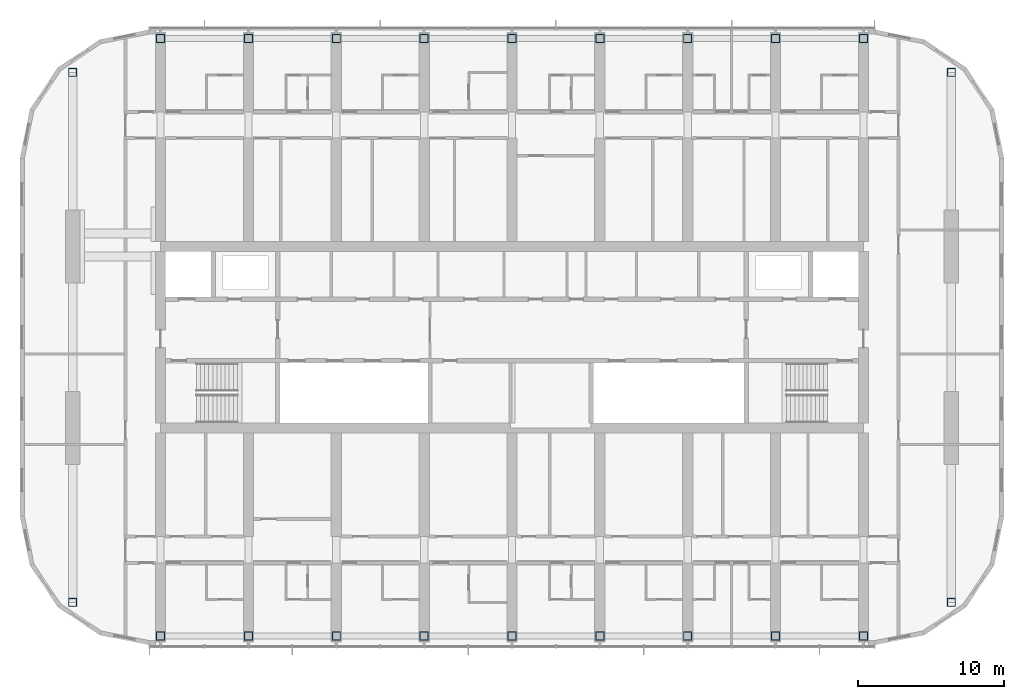
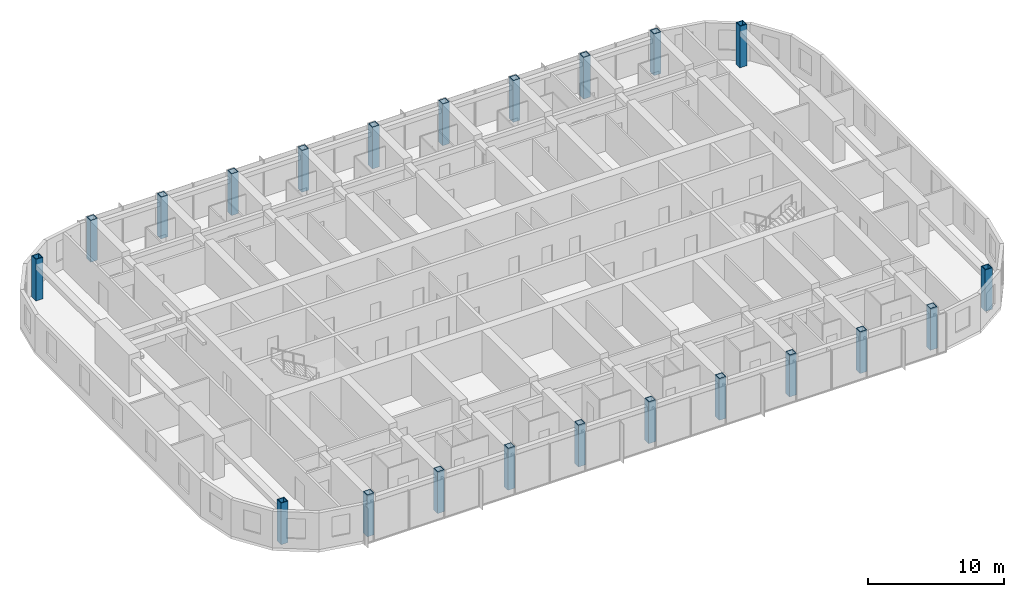
# One storey, part 1 of 23: 22 columns.
"""IFC4 building model written with IfcOpenShell, lengths in metres."""

from ifc_helpers import new_model, si_unit, direction, frame, origin, origin_2d, place, context, subcontext, project, spatial, hollow_rectangle, extrude, material, material_profile, profile_set, type_object, element, save


model = new_model("IFC4")

# Units and contexts
model_context = context("Model", 3, precision=1e-05, world=origin(), true_north=direction((0.0, 1.0)))
body_context = subcontext(model_context, "Body", "Model", "MODEL_VIEW")
ifc_project = project(units=[si_unit("LENGTHUNIT", "METRE"), si_unit("AREAUNIT", "SQUARE_METRE"), si_unit("VOLUMEUNIT", "CUBIC_METRE"), si_unit("PLANEANGLEUNIT", "RADIAN"), si_unit("MASSUNIT", "GRAM", prefix="KILO")], contexts=[model_context])

# Site, building, storey
site_placement = place(None, origin())
site = spatial("IfcSite", under=ifc_project, at=site_placement, CompositionType="ELEMENT")
building_placement = place(site_placement, origin())
building = spatial("IfcBuilding", under=site, at=building_placement, Name="Orbita Commons", CompositionType="ELEMENT")
storey_placement = place(building_placement, frame((0.0, 0.0, 212.800048828125)))
storey = spatial("IfcBuildingStorey", under=building, at=storey_placement, Name="L52", CompositionType="ELEMENT", Elevation=212.800048828125)

# Columns
ifc_material = material(Name="Steel ASTM A572 Gr 50 welded plate", Category="steel")
ifc_material_profile = material_profile(ifc_material, hollow_rectangle(XDim=0.60009765625, YDim=0.60009765625, WallThickness=0.06005859375, at=origin_2d()), Name="BOX 600x600x60")
ifc_profile_set = profile_set([ifc_material_profile], Name="Steel ASTM A572 Gr 50 welded plate")
column_type = type_object("IfcColumnType", Name="Steel column BOX 600x600x60", PredefinedType="COLUMN", material=ifc_profile_set)
for number, where, z_axis, x_axis, name in (
    (1, (18.0, 11.60009765625, 0.0), (0.0, 0.0, 1.0), (1.0, 0.0, 0.0), "Column 4/B L52"),
    (2, (18.0, 52.39990234375, 0.0), (0.0, 0.0, 1.0), (1.0, 0.0, 0.0), "Column 4/E L52"),
    (3, (24.0, 11.60009765625, 0.0), (0.0, 0.0, 1.0), (1.0, 0.0, 0.0), "Column 5/B L52"),
    (4, (24.0, 52.39990234375, 0.0), (0.0, 0.0, 1.0), (1.0, 0.0, 0.0), "Column 5/E L52"),
    (5, (30.0, 11.60009765625, 0.0), (0.0, 0.0, 1.0), (1.0, 0.0, 0.0), "Column 6/B L52"),
    (6, (30.0, 52.39990234375, 0.0), (0.0, 0.0, 1.0), (1.0, 0.0, 0.0), "Column 6/E L52"),
    (7, (36.0, 11.60009765625, 0.0), (0.0, 0.0, 1.0), (1.0, 0.0, 0.0), "Column 7/B L52"),
    (8, (36.0, 52.39990234375, 0.0), (0.0, 0.0, 1.0), (1.0, 0.0, 0.0), "Column 7/E L52"),
    (9, (42.0, 11.60009765625, 0.0), (0.0, 0.0, 1.0), (1.0, 0.0, 0.0), "Column 8/B L52"),
    (10, (42.0, 52.39990234375, 0.0), (0.0, 0.0, 1.0), (1.0, 0.0, 0.0), "Column 8/E L52"),
    (11, (48.0, 11.60009765625, 0.0), (0.0, 0.0, 1.0), (1.0, 0.0, 0.0), "Column 9/B L52"),
    (12, (48.0, 52.39990234375, 0.0), (0.0, 0.0, 1.0), (1.0, 0.0, 0.0), "Column 9/E L52"),
    (13, (54.0, 11.60009765625, 0.0), (0.0, 0.0, 1.0), (1.0, 0.0, 0.0), "Column 10/B L52"),
    (14, (54.0, 52.39990234375, 0.0), (0.0, 0.0, 1.0), (1.0, 0.0, 0.0), "Column 10/E L52"),
    (15, (60.0, 11.60009765625, 0.0), (0.0, 0.0, 1.0), (1.0, 0.0, 0.0), "Column 11/B L52"),
    (16, (60.0, 52.39990234375, 0.0), (0.0, 0.0, 1.0), (1.0, 0.0, 0.0), "Column 11/E L52"),
    (17, (66.0, 11.60009765625, 0.0), (0.0, 0.0, 1.0), (1.0, 0.0, 0.0), "Column 12/B L52"),
    (18, (66.0, 52.39990234375, 0.0), (0.0, 0.0, 1.0), (1.0, 0.0, 0.0), "Column 12/E L52"),
    (19, (12.0, 13.89990234375, 0.0), (0.0, 0.0, 1.0), (1.0, 0.0, 0.0), "Column 3/13.9 L52"),
    (20, (12.0, 50.10009765625, 0.0), (0.0, 0.0, 1.0), (1.0, 0.0, 0.0), "Column 3/50.1 L52"),
    (21, (72.0, 13.89990234375, 0.0), (0.0, 0.0, 1.0), (1.0, 0.0, 0.0), "Column 13/13.9 L52"),
    (22, (72.0, 50.10009765625, 0.0), (0.0, 0.0, 1.0), (1.0, 0.0, 0.0), "Column 13/50.1 L52"),
):
    element("IfcColumn", number, at=place(storey_placement, frame(where, z_axis=z_axis, x_axis=x_axis)), inside=storey, type_object=column_type, Name=name, PredefinedType="COLUMN", context=body_context, shape_type="SweptSolid", body=[
        extrude(hollow_rectangle(XDim=0.60009765625, YDim=0.60009765625, WallThickness=0.06005859375, at=origin_2d()), origin(), (0.0, 0.0, 1.0), 3.75),
    ])

save(model, "model.ifc")
